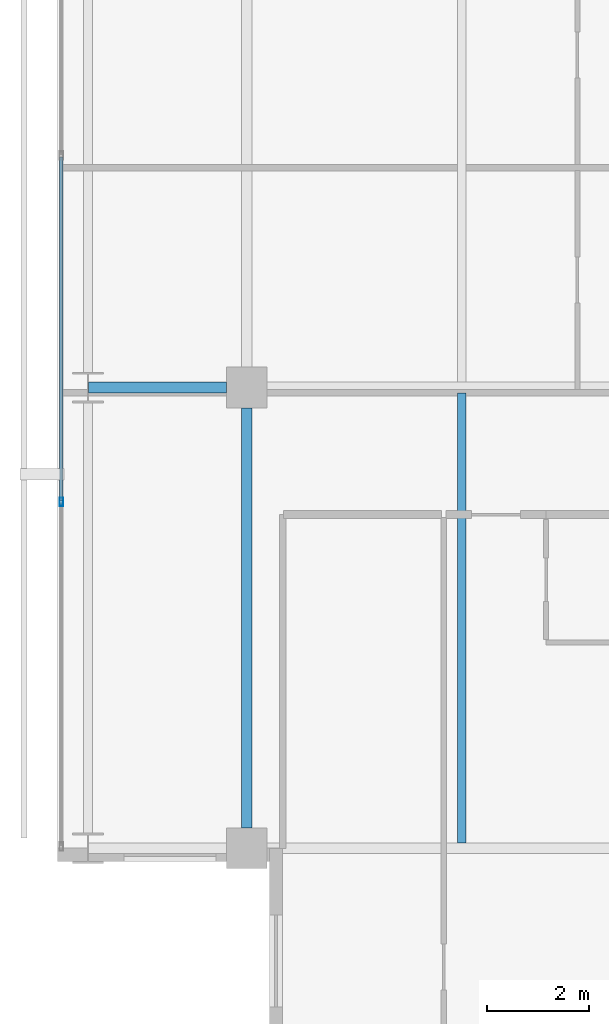
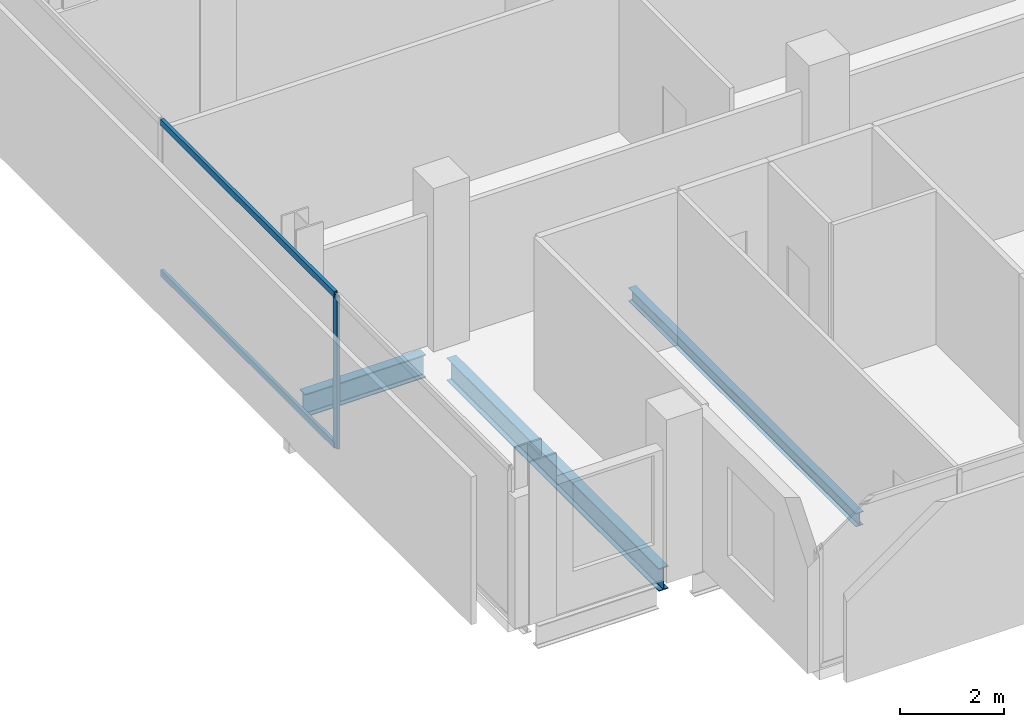
# One storey, part 4 of 34: 3 beams, 3 members, 1 element without a shape of its own.
"""IFC4 building model written with IfcOpenShell, lengths in metres."""

from ifc_helpers import new_model, si_unit, direction, frame, origin, origin_2d, place, context, subcontext, project, spatial, hollow_rectangle, i_section, extrude, material, layer, layer_set, material_profile, profile_set, type_object, element, aggregate, save


model = new_model("IFC4")

# Units and contexts
model_context = context("Model", 3, precision=1e-05, world=origin(), true_north=direction((0.0, 1.0)))
body_context = subcontext(model_context, "Body", "Model", "MODEL_VIEW")
ifc_project = project(units=[si_unit("LENGTHUNIT", "METRE"), si_unit("AREAUNIT", "SQUARE_METRE"), si_unit("VOLUMEUNIT", "CUBIC_METRE"), si_unit("PLANEANGLEUNIT", "RADIAN"), si_unit("MASSUNIT", "GRAM", prefix="KILO")], contexts=[model_context])

# Site, building, storey
site_placement = place(None, origin())
site = spatial("IfcSite", under=ifc_project, at=site_placement, CompositionType="ELEMENT")
building_placement = place(site_placement, origin())
building = spatial("IfcBuilding", under=site, at=building_placement, Name="Maruvema Waterfront Hotel and Observation Tower", CompositionType="ELEMENT")
storey_placement = place(building_placement, frame((0.0, 0.0, 215.949951171875)))
storey = spatial("IfcBuildingStorey", under=building, at=storey_placement, Name="L53", CompositionType="ELEMENT", Elevation=215.949951171875)

# Curtain wall, members
ifc_material_1 = material(Name="Anodised bronze aluminium and solar-control low-E IGU", Category="aluminium")
ifc_layer = layer(ifc_material_1, 0.159912109375, Name="Zone 2 Amber Inner Thermal Curtain Wall System CW-03")
ifc_layer_set = layer_set([ifc_layer], Name="Anodised bronze aluminium and solar-control low-E IGU")
curtain_wall_type = type_object("IfcCurtainWallType", Name="Zone 2 Amber Inner Thermal Curtain Wall System CW-03", PredefinedType="USERDEFINED", material=ifc_layer_set)
curtain_wall_placement = place(storey_placement, origin())
curtain_wall = element("IfcCurtainWall", 1, at=curtain_wall_placement, inside=storey, type_object=curtain_wall_type, Name="L53 Curtain Wall CW-L53-W", ObjectType="UNITISED CURTAIN WALL", PredefinedType="USERDEFINED")
ifc_material_2 = material(Name="Anodised architectural bronze aluminium", Category="aluminium")
ifc_material_profile_1 = material_profile(ifc_material_2, hollow_rectangle(XDim=0.070068359375, YDim=0.14990234375, WallThickness=0.00390625, at=origin_2d()), Name="ALU-T70x150")
ifc_profile_set_1 = profile_set([ifc_material_profile_1], Name="Anodised architectural bronze aluminium")
member_type_1 = type_object("IfcMemberType", Name="Curtain Wall Horizontal Transom ALU-T70x150", PredefinedType="USERDEFINED", material=ifc_profile_set_1)
member_1_placement = place(storey_placement, frame((13.179931640625, 22.50341796875, 0.030029296875), z_axis=(0.0, -1.0, 0.0), x_axis=(1.0, 0.0, 0.0)))
member_1 = element("IfcMember", 2, at=member_1_placement, type_object=member_type_1, Name="CW-03 transom 5.1", ObjectType="TRANSOM", PredefinedType="USERDEFINED", context=body_context, shape_type="SweptSolid", body=[
    extrude(hollow_rectangle(XDim=0.070068359375, YDim=0.14990234375, WallThickness=0.00390625, at=origin_2d()), origin(), (0.0, 0.0, 1.0), 6.706787109375),
])
member_2_placement = place(storey_placement, frame((13.179931640625, 22.50341796875, 3.580078125), z_axis=(0.0, -1.0, 0.0), x_axis=(1.0, 0.0, 0.0)))
member_2 = element("IfcMember", 3, at=member_2_placement, type_object=member_type_1, Name="CW-03 transom 5.2", ObjectType="TRANSOM", PredefinedType="USERDEFINED", context=body_context, shape_type="SweptSolid", body=[
    extrude(hollow_rectangle(XDim=0.070068359375, YDim=0.14990234375, WallThickness=0.00390625, at=origin_2d()), origin(), (0.0, 0.0, 1.0), 6.706787109375),
])
ifc_material_3 = material(Name="Anodised architectural bronze aluminium", Category="aluminium")
ifc_material_profile_2 = material_profile(ifc_material_3, hollow_rectangle(XDim=0.06494140625, YDim=0.1650390625, WallThickness=0.00390625, at=origin_2d()), Name="ALU-M65x165")
ifc_profile_set_2 = profile_set([ifc_material_profile_2], Name="Anodised architectural bronze aluminium")
member_type_2 = type_object("IfcMemberType", Name="Curtain Wall Primary Mullion ALU-M65x165", PredefinedType="MULLION", material=ifc_profile_set_2)
member_3_placement = place(storey_placement, frame((13.179931640625, 15.7666015625, 0.0), z_axis=(0.0, 0.0, 1.0), x_axis=(1.0, 0.0, 0.0)))
member_3 = element("IfcMember", 4, at=member_3_placement, type_object=member_type_2, Name="CW-03 mullion 6", PredefinedType="MULLION", context=body_context, shape_type="SweptSolid", body=[
    extrude(hollow_rectangle(XDim=0.06494140625, YDim=0.1650390625, WallThickness=0.00390625, at=origin_2d()), origin(), (0.0, 0.0, 1.0), 3.610107421875),
])
aggregate(curtain_wall, [member_3, member_1, member_2])

# Beams
ifc_material_4 = material(Name="Steel ASTM A572 Grade 50", Category="steel")
ifc_material_profile_3 = material_profile(ifc_material_4, i_section(OverallWidth=0.2109375, OverallDepth=0.5390625, WebThickness=0.01171875, FlangeThickness=0.018798828125, FilletRadius=0.014892578125, at=origin_2d()), Name="W530x109.0")
ifc_profile_set_3 = profile_set([ifc_material_profile_3], Name="Steel ASTM A572 Grade 50")
beam_type_1 = type_object("IfcBeamType", Name="Primary Floor Girder W530x109.0", PredefinedType="BEAM", material=ifc_profile_set_3)
beam_1_placement = place(storey_placement, frame((13.71240234375, 18.0, -0.509521484375), z_axis=(1.0, 0.0, 0.0), x_axis=(0.0, 1.0, 0.0)))
element("IfcBeam", 5, at=beam_1_placement, inside=storey, type_object=beam_type_1, Name="L53 Floor Girder EW-11", PredefinedType="BEAM", context=body_context, shape_type="SweptSolid", body=[
    extrude(i_section(OverallWidth=0.2109375, OverallDepth=0.5390625, WebThickness=0.01171875, FlangeThickness=0.018798828125, FilletRadius=0.014892578125, at=origin_2d()), origin(), (0.0, 0.0, 1.0), 2.6875),
])
beam_2_placement = place(storey_placement, frame((16.800048828125, 9.39990234375, -0.509521484375), z_axis=(0.0, 1.0, 0.0), x_axis=(-1.0, 0.0, 0.0)))
element("IfcBeam", 6, at=beam_2_placement, inside=storey, type_object=beam_type_1, Name="L53 Floor Girder NS-05", PredefinedType="BEAM", context=body_context, shape_type="SweptSolid", body=[
    extrude(i_section(OverallWidth=0.2109375, OverallDepth=0.5390625, WebThickness=0.01171875, FlangeThickness=0.018798828125, FilletRadius=0.014892578125, at=origin_2d()), origin(), (0.0, 0.0, 1.0), 8.2001953125),
])
ifc_material_5 = material(Name="Steel ASTM A572 Grade 50", Category="steel")
ifc_material_profile_4 = material_profile(ifc_material_5, i_section(OverallWidth=0.1669921875, OverallDepth=0.31689453125, WebThickness=0.007568359375, FlangeThickness=0.01318359375, FilletRadius=0.012939453125, at=origin_2d()), Name="W310x52.0")
ifc_profile_set_4 = profile_set([ifc_material_profile_4], Name="Steel ASTM A572 Grade 50")
beam_type_2 = type_object("IfcBeamType", Name="Secondary Floor Joist W310x52.0", PredefinedType="JOIST", material=ifc_profile_set_4)
beam_3_placement = place(storey_placement, frame((21.0, 9.10546875, -0.3984375), z_axis=(0.0, 1.0, 0.0), x_axis=(-1.0, 0.0, 0.0)))
element("IfcBeam", 7, at=beam_3_placement, inside=storey, type_object=beam_type_2, Name="L53 Secondary Floor Joist JS-01", PredefinedType="JOIST", context=body_context, shape_type="SweptSolid", body=[
    extrude(i_section(OverallWidth=0.1669921875, OverallDepth=0.31689453125, WebThickness=0.007568359375, FlangeThickness=0.01318359375, FilletRadius=0.012939453125, at=origin_2d()), origin(), (0.0, 0.0, 1.0), 8.7890625),
])

save(model, "model.ifc")
